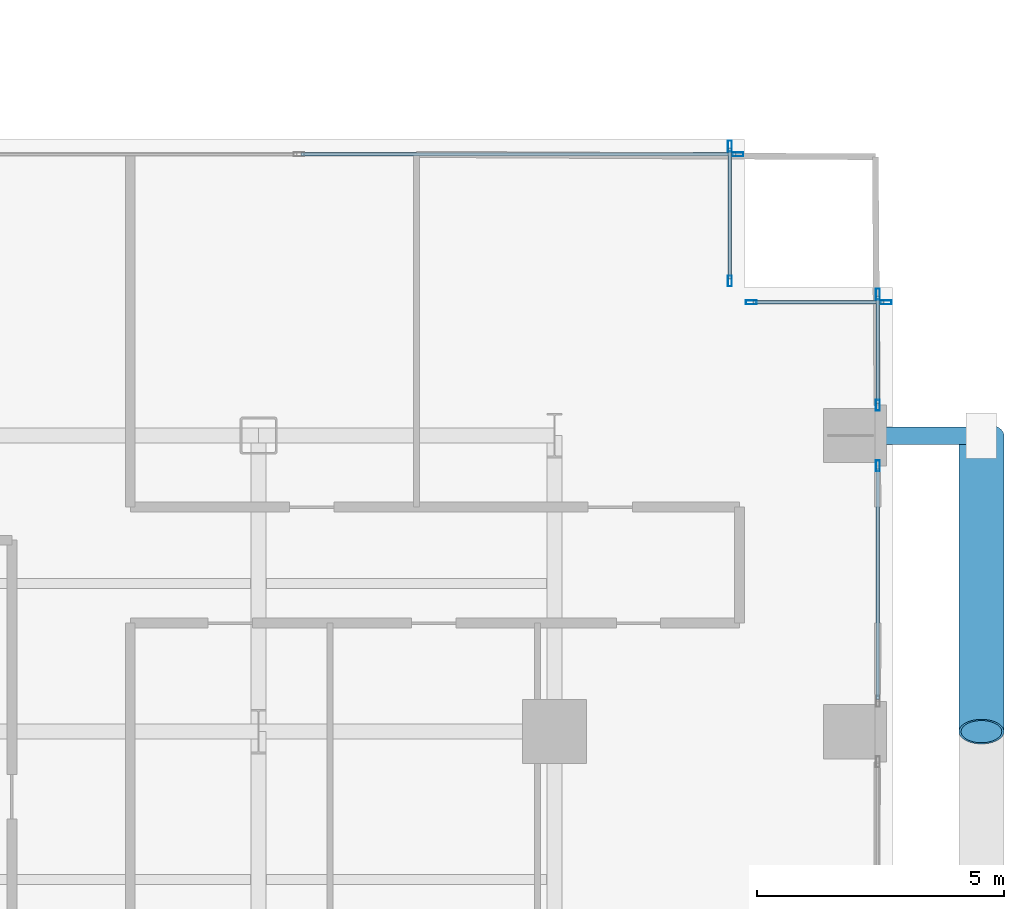
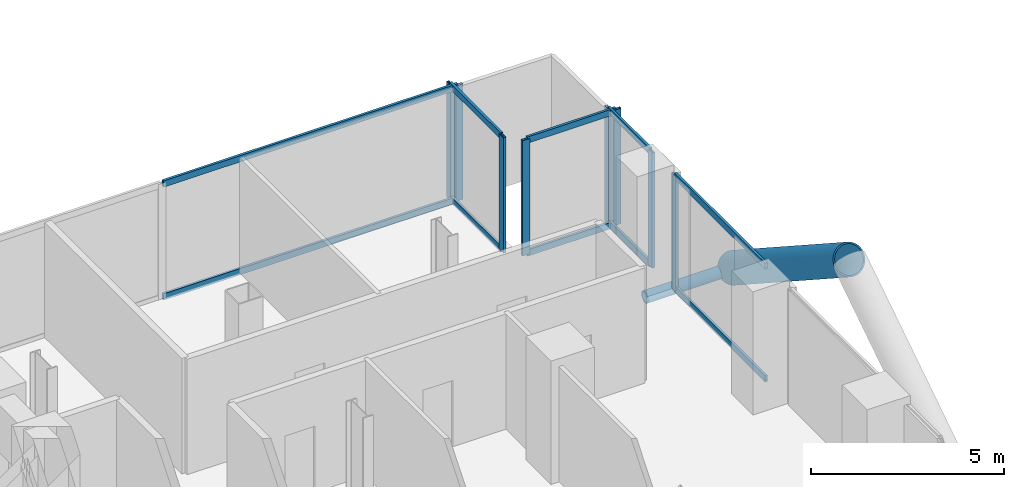
# One storey, part 12 of 25: 20 members, 5 elements without a shape of their own.
"""IFC4 building model written with IfcOpenShell, lengths in metres."""

from ifc_helpers import new_model, si_unit, direction, frame, origin, origin_2d, place, context, subcontext, project, spatial, hollow_rectangle, hollow_circle, extrude, material, layer, layer_set, material_profile, profile_set, type_object, element, aggregate, save


model = new_model("IFC4")

# Units and contexts
model_context = context("Model", 3, precision=1e-05, world=origin(), true_north=direction((0.0, 1.0)))
body_context = subcontext(model_context, "Body", "Model", "MODEL_VIEW")
ifc_project = project(units=[si_unit("LENGTHUNIT", "METRE"), si_unit("AREAUNIT", "SQUARE_METRE"), si_unit("VOLUMEUNIT", "CUBIC_METRE"), si_unit("PLANEANGLEUNIT", "RADIAN"), si_unit("MASSUNIT", "GRAM", prefix="KILO"), si_unit("THERMODYNAMICTEMPERATUREUNIT", "KELVIN"), si_unit("POWERUNIT", "WATT")], contexts=[model_context])

# Site, building, storey
site_placement = place(None, origin())
site = spatial("IfcSite", under=ifc_project, at=site_placement, CompositionType="ELEMENT")
building_placement = place(site_placement, origin())
building = spatial("IfcBuilding", under=site, at=building_placement, Name="Svarakhadi Broadcast Tower", CompositionType="ELEMENT")
storey_placement = place(building_placement, frame((0.0, 0.0, 48.0)))
storey = spatial("IfcBuildingStorey", under=building, at=storey_placement, Name="L10", CompositionType="ELEMENT", Elevation=48.0)

# Curtain wall, member
ifc_material_1 = material(Name="Anodised Bronze Aluminium AA 6063-T6", Category="aluminium")
ifc_layer = layer(ifc_material_1, 0.219970703125)
ifc_layer_set = layer_set([ifc_layer], Name="Anodised Bronze Aluminium AA 6063-T6")
curtain_wall_type = type_object("IfcCurtainWallType", Name="CW_Sys_02", PredefinedType="NOTDEFINED", material=ifc_layer_set)
curtain_wall_1_placement = place(storey_placement, origin())
curtain_wall_1 = element("IfcCurtainWall", 1, at=curtain_wall_1_placement, inside=storey, type_object=curtain_wall_type, Name="L10 Unitised Facade Curtain Wall 10", PredefinedType="NOTDEFINED")
ifc_material_profile_1 = material_profile(ifc_material_1, hollow_rectangle(XDim=0.0849609375, YDim=0.219970703125, WallThickness=0.006103515625, at=origin_2d()), Name="ALU MULLION 220x85x6")
ifc_profile_set_1 = profile_set([ifc_material_profile_1], Name="Anodised Bronze Aluminium AA 6063-T6")
member_type_1 = type_object("IfcMemberType", Name="CW_Sys_02_Mul", PredefinedType="MULLION", material=ifc_profile_set_1)
member_1_placement = place(storey_placement, frame((50.867431640625, 23.699951171875, 0.0), z_axis=(0.0, 0.0, 1.0), x_axis=(0.0, 1.0, 0.0)))
member_1 = element("IfcMember", 2, at=member_1_placement, type_object=member_type_1, Name="CW-02 mullion 4", PredefinedType="MULLION", context=body_context, shape_type="SweptSolid", body=[
    extrude(hollow_rectangle(XDim=0.0849609375, YDim=0.219970703125, WallThickness=0.006103515625, at=origin_2d()), origin(), (0.0, 0.0, 1.0), 3.64990234375),
])

# Curtain wall, members
curtain_wall_2_placement = place(storey_placement, origin())
curtain_wall_2 = element("IfcCurtainWall", 3, at=curtain_wall_2_placement, inside=storey, type_object=curtain_wall_type, Name="L10 Unitised Facade Curtain Wall 11", PredefinedType="NOTDEFINED")
member_2_placement = place(storey_placement, frame((50.699951171875, 23.867431640625, 0.0), z_axis=(0.0, 0.0, 1.0), x_axis=(1.0, 0.0, 0.0)))
member_2 = element("IfcMember", 4, at=member_2_placement, type_object=member_type_1, Name="CW-02 mullion 1", PredefinedType="MULLION", context=body_context, shape_type="SweptSolid", body=[
    extrude(hollow_rectangle(XDim=0.0849609375, YDim=0.219970703125, WallThickness=0.006103515625, at=origin_2d()), origin(), (0.0, 0.0, 1.0), 3.64990234375),
])
member_3_placement = place(storey_placement, frame((50.699951171875, 21.132568359375, 0.0), z_axis=(0.0, 0.0, 1.0), x_axis=(1.0, 0.0, 0.0)))
member_3 = element("IfcMember", 5, at=member_3_placement, type_object=member_type_1, Name="CW-02 mullion 2", PredefinedType="MULLION", context=body_context, shape_type="SweptSolid", body=[
    extrude(hollow_rectangle(XDim=0.0849609375, YDim=0.219970703125, WallThickness=0.006103515625, at=origin_2d()), origin(), (0.0, 0.0, 1.0), 3.64990234375),
])

curtain_wall_3_placement = place(storey_placement, origin())
curtain_wall_3 = element("IfcCurtainWall", 6, at=curtain_wall_3_placement, inside=storey, type_object=curtain_wall_type, Name="L10 Unitised Facade Curtain Wall 12", PredefinedType="NOTDEFINED")
member_4_placement = place(storey_placement, frame((51.132568359375, 20.699951171875, 0.0), z_axis=(0.0, 0.0, 1.0), x_axis=(0.0, 1.0, 0.0)))
member_4 = element("IfcMember", 7, at=member_4_placement, type_object=member_type_1, Name="CW-02 mullion 1", PredefinedType="MULLION", context=body_context, shape_type="SweptSolid", body=[
    extrude(hollow_rectangle(XDim=0.0849609375, YDim=0.219970703125, WallThickness=0.006103515625, at=origin_2d()), origin(), (0.0, 0.0, 1.0), 3.64990234375),
])
member_5_placement = place(storey_placement, frame((53.867431640625, 20.699951171875, 0.0), z_axis=(0.0, 0.0, 1.0), x_axis=(0.0, 1.0, 0.0)))
member_5 = element("IfcMember", 8, at=member_5_placement, type_object=member_type_1, Name="CW-02 mullion 2", PredefinedType="MULLION", context=body_context, shape_type="SweptSolid", body=[
    extrude(hollow_rectangle(XDim=0.0849609375, YDim=0.219970703125, WallThickness=0.006103515625, at=origin_2d()), origin(), (0.0, 0.0, 1.0), 3.64990234375),
])

curtain_wall_4_placement = place(storey_placement, origin())
curtain_wall_4 = element("IfcCurtainWall", 9, at=curtain_wall_4_placement, inside=storey, type_object=curtain_wall_type, Name="L10 Unitised Facade Curtain Wall 13 Bay 1", PredefinedType="NOTDEFINED")
member_6_placement = place(storey_placement, frame((53.699951171875, 20.867431640625, 0.0), z_axis=(0.0, 0.0, 1.0), x_axis=(1.0, 0.0, 0.0)))
member_6 = element("IfcMember", 10, at=member_6_placement, type_object=member_type_1, Name="CW-02 mullion 1", PredefinedType="MULLION", context=body_context, shape_type="SweptSolid", body=[
    extrude(hollow_rectangle(XDim=0.0849609375, YDim=0.219970703125, WallThickness=0.006103515625, at=origin_2d()), origin(), (0.0, 0.0, 1.0), 3.64990234375),
])
member_7_placement = place(storey_placement, frame((53.699951171875, 18.612548828125, 0.0), z_axis=(0.0, 0.0, 1.0), x_axis=(1.0, 0.0, 0.0)))
member_7 = element("IfcMember", 11, at=member_7_placement, type_object=member_type_1, Name="CW-02 mullion 2", PredefinedType="MULLION", context=body_context, shape_type="SweptSolid", body=[
    extrude(hollow_rectangle(XDim=0.0849609375, YDim=0.219970703125, WallThickness=0.006103515625, at=origin_2d()), origin(), (0.0, 0.0, 1.0), 3.64990234375),
])

# Curtain wall, member
curtain_wall_5_placement = place(storey_placement, origin())
curtain_wall_5 = element("IfcCurtainWall", 12, at=curtain_wall_5_placement, inside=storey, type_object=curtain_wall_type, Name="L10 Unitised Facade Curtain Wall 13 Bay 2", PredefinedType="NOTDEFINED")
member_8_placement = place(storey_placement, frame((53.699951171875, 17.387451171875, 0.0), z_axis=(0.0, 0.0, 1.0), x_axis=(1.0, 0.0, 0.0)))
member_8 = element("IfcMember", 13, at=member_8_placement, type_object=member_type_1, Name="CW-02 mullion 1", PredefinedType="MULLION", context=body_context, shape_type="SweptSolid", body=[
    extrude(hollow_rectangle(XDim=0.0849609375, YDim=0.219970703125, WallThickness=0.006103515625, at=origin_2d()), origin(), (0.0, 0.0, 1.0), 3.64990234375),
])

# Member
ifc_material_profile_2 = material_profile(ifc_material_1, hollow_rectangle(XDim=0.074951171875, YDim=0.199951171875, WallThickness=0.0048828125, at=origin_2d()), Name="ALU TRANSOM 200x75x5")
ifc_profile_set_2 = profile_set([ifc_material_profile_2], Name="Anodised Bronze Aluminium AA 6063-T6")
member_type_2 = type_object("IfcMemberType", Name="CW_Sys_02_Trn", PredefinedType="USERDEFINED", material=ifc_profile_set_2)
member_9_placement = place(storey_placement, frame((42.012451171875, 23.699951171875, 0.03759765625), z_axis=(1.0, 0.0, 0.0), x_axis=(0.0, 1.0, 0.0)))
member_9 = element("IfcMember", 14, at=member_9_placement, type_object=member_type_2, Name="CW-02 transom 3.1", ObjectType="TRANSOM", PredefinedType="USERDEFINED", context=body_context, shape_type="SweptSolid", body=[
    extrude(hollow_rectangle(XDim=0.074951171875, YDim=0.199951171875, WallThickness=0.0048828125, at=origin_2d()), origin(), (0.0, 0.0, 1.0), 8.8125),
])

member_10_placement = place(storey_placement, frame((42.012451171875, 23.699951171875, 3.612548828125), z_axis=(1.0, 0.0, 0.0), x_axis=(0.0, 1.0, 0.0)))
member_10 = element("IfcMember", 15, at=member_10_placement, type_object=member_type_2, Name="CW-02 transom 3.2", ObjectType="TRANSOM", PredefinedType="USERDEFINED", context=body_context, shape_type="SweptSolid", body=[
    extrude(hollow_rectangle(XDim=0.074951171875, YDim=0.199951171875, WallThickness=0.0048828125, at=origin_2d()), origin(), (0.0, 0.0, 1.0), 8.8125),
])

aggregate(curtain_wall_1, [member_1, member_9, member_10])

member_11_placement = place(storey_placement, frame((50.699951171875, 23.824951171875, 0.03759765625), z_axis=(0.0, -1.0, 0.0), x_axis=(1.0, 0.0, 0.0)))
member_11 = element("IfcMember", 16, at=member_11_placement, type_object=member_type_2, Name="CW-02 transom 1.1", ObjectType="TRANSOM", PredefinedType="USERDEFINED", context=body_context, shape_type="SweptSolid", body=[
    extrude(hollow_rectangle(XDim=0.074951171875, YDim=0.199951171875, WallThickness=0.0048828125, at=origin_2d()), origin(), (0.0, 0.0, 1.0), 2.64990234375),
])

member_12_placement = place(storey_placement, frame((50.699951171875, 23.824951171875, 3.612548828125), z_axis=(0.0, -1.0, 0.0), x_axis=(1.0, 0.0, 0.0)))
member_12 = element("IfcMember", 17, at=member_12_placement, type_object=member_type_2, Name="CW-02 transom 1.2", ObjectType="TRANSOM", PredefinedType="USERDEFINED", context=body_context, shape_type="SweptSolid", body=[
    extrude(hollow_rectangle(XDim=0.074951171875, YDim=0.199951171875, WallThickness=0.0048828125, at=origin_2d()), origin(), (0.0, 0.0, 1.0), 2.64990234375),
])

aggregate(curtain_wall_2, [member_2, member_3, member_11, member_12])

member_13_placement = place(storey_placement, frame((51.175048828125, 20.699951171875, 0.03759765625), z_axis=(1.0, 0.0, 0.0), x_axis=(0.0, 1.0, 0.0)))
member_13 = element("IfcMember", 18, at=member_13_placement, type_object=member_type_2, Name="CW-02 transom 1.1", ObjectType="TRANSOM", PredefinedType="USERDEFINED", context=body_context, shape_type="SweptSolid", body=[
    extrude(hollow_rectangle(XDim=0.074951171875, YDim=0.199951171875, WallThickness=0.0048828125, at=origin_2d()), origin(), (0.0, 0.0, 1.0), 2.64990234375),
])

member_14_placement = place(storey_placement, frame((51.175048828125, 20.699951171875, 3.612548828125), z_axis=(1.0, 0.0, 0.0), x_axis=(0.0, 1.0, 0.0)))
member_14 = element("IfcMember", 19, at=member_14_placement, type_object=member_type_2, Name="CW-02 transom 1.2", ObjectType="TRANSOM", PredefinedType="USERDEFINED", context=body_context, shape_type="SweptSolid", body=[
    extrude(hollow_rectangle(XDim=0.074951171875, YDim=0.199951171875, WallThickness=0.0048828125, at=origin_2d()), origin(), (0.0, 0.0, 1.0), 2.64990234375),
])

aggregate(curtain_wall_3, [member_4, member_5, member_13, member_14])

member_15_placement = place(storey_placement, frame((53.699951171875, 20.824951171875, 0.03759765625), z_axis=(0.0, -1.0, 0.0), x_axis=(1.0, 0.0, 0.0)))
member_15 = element("IfcMember", 20, at=member_15_placement, type_object=member_type_2, Name="CW-02 transom 1.1", ObjectType="TRANSOM", PredefinedType="USERDEFINED", context=body_context, shape_type="SweptSolid", body=[
    extrude(hollow_rectangle(XDim=0.074951171875, YDim=0.199951171875, WallThickness=0.0048828125, at=origin_2d()), origin(), (0.0, 0.0, 1.0), 2.169921875),
])

member_16_placement = place(storey_placement, frame((53.699951171875, 20.824951171875, 3.612548828125), z_axis=(0.0, -1.0, 0.0), x_axis=(1.0, 0.0, 0.0)))
member_16 = element("IfcMember", 21, at=member_16_placement, type_object=member_type_2, Name="CW-02 transom 1.2", ObjectType="TRANSOM", PredefinedType="USERDEFINED", context=body_context, shape_type="SweptSolid", body=[
    extrude(hollow_rectangle(XDim=0.074951171875, YDim=0.199951171875, WallThickness=0.0048828125, at=origin_2d()), origin(), (0.0, 0.0, 1.0), 2.169921875),
])

aggregate(curtain_wall_4, [member_6, member_7, member_15, member_16])

member_17_placement = place(storey_placement, frame((53.699951171875, 17.344970703125, 0.03759765625), z_axis=(0.0, -1.0, 0.0), x_axis=(1.0, 0.0, 0.0)))
member_17 = element("IfcMember", 22, at=member_17_placement, type_object=member_type_2, Name="CW-02 transom 1.1", ObjectType="TRANSOM", PredefinedType="USERDEFINED", context=body_context, shape_type="SweptSolid", body=[
    extrude(hollow_rectangle(XDim=0.074951171875, YDim=0.199951171875, WallThickness=0.0048828125, at=origin_2d()), origin(), (0.0, 0.0, 1.0), 4.68994140625),
])

member_18_placement = place(storey_placement, frame((53.699951171875, 17.344970703125, 3.612548828125), z_axis=(0.0, -1.0, 0.0), x_axis=(1.0, 0.0, 0.0)))
member_18 = element("IfcMember", 23, at=member_18_placement, type_object=member_type_2, Name="CW-02 transom 1.2", ObjectType="TRANSOM", PredefinedType="USERDEFINED", context=body_context, shape_type="SweptSolid", body=[
    extrude(hollow_rectangle(XDim=0.074951171875, YDim=0.199951171875, WallThickness=0.0048828125, at=origin_2d()), origin(), (0.0, 0.0, 1.0), 4.68994140625),
])

aggregate(curtain_wall_5, [member_8, member_17, member_18])

# Members
ifc_material_2 = material(Name="Steel S460ML (IS 2062 E450BR)", Category="steel")
ifc_material_profile_3 = material_profile(ifc_material_2, hollow_circle(Radius=0.45703125, WallThickness=0.044921875, at=origin_2d()), Name="CHS 914x45")
ifc_profile_set_3 = profile_set([ifc_material_profile_3], Name="Steel S460ML (IS 2062 E450BR)")
member_type_3 = type_object("IfcMemberType", Name="Exo_Brace_CHS914", PredefinedType="BRACE", material=ifc_profile_set_3)
member_19_placement = place(storey_placement, frame((55.800048828125, 18.0, -0.427734375), z_axis=(0.0, -0.838449851971, 0.544978757136), x_axis=(1.0, 0.0, 0.0)))
element("IfcMember", 24, at=member_19_placement, inside=storey, type_object=member_type_3, Name="L10 Exposed Bronze Exoskeleton Diagonal E09", PredefinedType="BRACE", context=body_context, shape_type="SweptSolid", body=[
    extrude(hollow_circle(Radius=0.45703125, WallThickness=0.044921875, at=origin_2d()), origin(), (0.0, 0.0, 1.0), 7.156005859375),
])
ifc_material_profile_4 = material_profile(ifc_material_2, hollow_circle(Radius=0.177734375, WallThickness=0.02001953125, at=origin_2d()), Name="CHS 355.6x20")
ifc_profile_set_4 = profile_set([ifc_material_profile_4], Name="Steel S460ML (IS 2062 E450BR)")
member_type_4 = type_object("IfcMemberType", Name="Exo_Radial_Strut_Z1", PredefinedType="STRUT", material=ifc_profile_set_4)
member_20_placement = place(storey_placement, frame((55.800048828125, 18.0, -0.427734375), z_axis=(-1.0, 0.0, 0.0), x_axis=(0.0, -1.0, 0.0)))
element("IfcMember", 25, at=member_20_placement, inside=storey, type_object=member_type_4, Name="L10 Exoskeleton Radial Tie Strut E10", PredefinedType="STRUT", context=body_context, shape_type="SweptSolid", body=[
    extrude(hollow_circle(Radius=0.177734375, WallThickness=0.02001953125, at=origin_2d()), origin(), (0.0, 0.0, 1.0), 2.650146484375),
])

save(model, "model.ifc")
